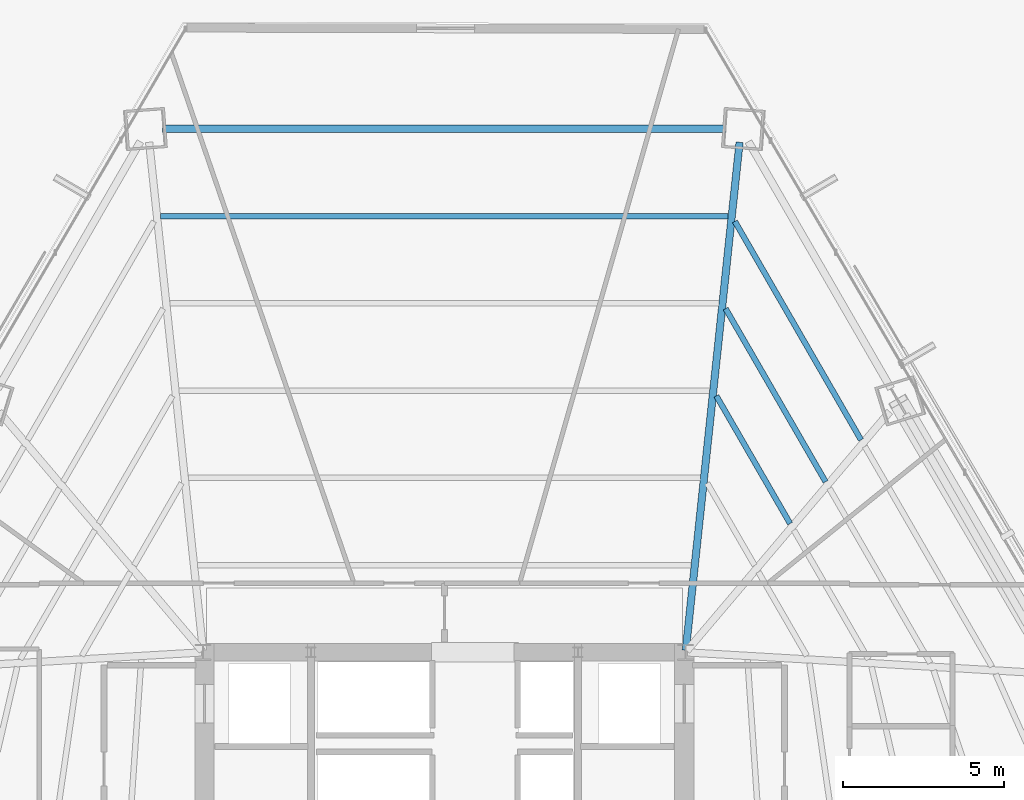
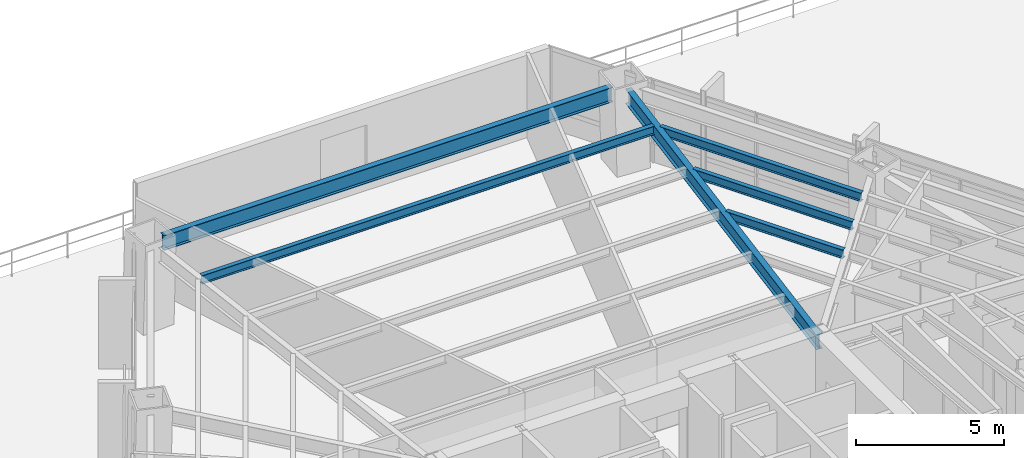
# One storey, part 24 of 35: 6 beams.
"""IFC4 building model written with IfcOpenShell, lengths in metres."""

from ifc_helpers import new_model, si_unit, direction, frame, origin, origin_2d, place, context, subcontext, project, spatial, i_section, extrude, source, transform, mapped, material, material_profile, profile_set, type_object, type_shapes, element, save


model = new_model("IFC4")

# Units and contexts
model_context = context("Model", 3, precision=1e-05, world=origin(), true_north=direction((0.0, 1.0)))
body_context = subcontext(model_context, "Body", "Model", "MODEL_VIEW")
ifc_project = project(units=[si_unit("LENGTHUNIT", "METRE"), si_unit("AREAUNIT", "SQUARE_METRE"), si_unit("VOLUMEUNIT", "CUBIC_METRE"), si_unit("PLANEANGLEUNIT", "RADIAN"), si_unit("MASSUNIT", "GRAM", prefix="KILO")], contexts=[model_context])

# Site, building, storey
site_placement = place(None, origin())
site = spatial("IfcSite", under=ifc_project, at=site_placement, CompositionType="ELEMENT")
building_placement = place(site_placement, origin())
building = spatial("IfcBuilding", under=site, at=building_placement, Name="Caelisora Broadcast Tower", CompositionType="ELEMENT")
storey_placement = place(building_placement, frame((0.0, 0.0, 27.60009765625)))
storey = spatial("IfcBuildingStorey", under=building, at=storey_placement, Name="L06", CompositionType="ELEMENT", Elevation=27.60009765625)

# Beams
ifc_material = material(Name="Steel Grade 350 (AS/NZS 3679.1)", Category="steel")
ifc_material_profile_1 = material_profile(ifc_material, i_section(OverallWidth=0.22900390625, OverallDepth=0.611572265625, WebThickness=0.011962890625, FlangeThickness=0.01953125, at=origin_2d()), Name="Steel Grade 350 (AS/NZS 3679.1)")
ifc_profile_set_1 = profile_set([ifc_material_profile_1], Name="Steel Grade 350 (AS/NZS 3679.1)")
beam_type_1 = type_object("IfcBeamType", Name="PG03", PredefinedType="BEAM", material=ifc_profile_set_1)
shared_shape_1 = source(origin(), body_context, "Body", "SweptSolid", [
    extrude(i_section(OverallWidth=0.22900390625, OverallDepth=0.611572265625, WebThickness=0.011962890625, FlangeThickness=0.01953125, at=origin_2d()), origin(), (0.0, 0.0, 1.0), 17.52880859375),
])
type_shapes(beam_type_1, [shared_shape_1])
beam_1_placement = place(storey_placement, frame((46.764404296875, 46.2783203125, 3.093994140625), z_axis=(-1.0, 0.0, 0.0), x_axis=(0.0, -1.0, 0.0)))
element("IfcBeam", 1, at=beam_1_placement, inside=storey, type_object=beam_type_1, Name="L06 beam PG03", PredefinedType="BEAM", context=body_context, shape_type="MappedRepresentation", body=[
    mapped(shared_shape_1, transform((0.0, 0.0, 0.0), scale=1.0)),
])
ifc_material_profile_2 = material_profile(ifc_material, i_section(OverallWidth=0.22802734375, OverallDepth=0.602294921875, WebThickness=0.010498046875, FlangeThickness=0.014892578125, at=origin_2d()), Name="Steel Grade 350 (AS/NZS 3679.1)")
ifc_profile_set_2 = profile_set([ifc_material_profile_2], Name="Steel Grade 350 (AS/NZS 3679.1)")
beam_type_2 = type_object("IfcBeamType", Name="PG04", PredefinedType="BEAM", material=ifc_profile_set_2)
shared_shape_2 = source(origin(), body_context, "Body", "SweptSolid", [
    extrude(i_section(OverallWidth=0.22802734375, OverallDepth=0.602294921875, WebThickness=0.010498046875, FlangeThickness=0.014892578125, at=origin_2d()), origin(), (0.0, 0.0, 1.0), 15.88916015625),
])
type_shapes(beam_type_2, [shared_shape_2])
beam_2_placement = place(storey_placement, frame((45.50634765625, 30.059814453125, 3.098876953125), z_axis=(0.105343823446, 0.994435859602, 0.0), x_axis=(-0.994435859602, 0.105343823446, 0.0)))
element("IfcBeam", 2, at=beam_2_placement, inside=storey, type_object=beam_type_2, Name="L06 beam PG04", PredefinedType="BEAM", context=body_context, shape_type="MappedRepresentation", body=[
    mapped(shared_shape_2, transform((0.0, 0.0, 0.0), scale=1.0)),
])
ifc_material_profile_3 = material_profile(ifc_material, i_section(OverallWidth=0.172119140625, OverallDepth=0.358642578125, WebThickness=0.008056640625, FlangeThickness=0.012939453125, at=origin_2d()), Name="Steel Grade 350 (AS/NZS 3679.1)")
ifc_profile_set_3 = profile_set([ifc_material_profile_3], Name="Steel Grade 350 (AS/NZS 3679.1)")
beam_type_3 = type_object("IfcBeamType", Name="SB02", PredefinedType="JOIST", material=ifc_profile_set_3)
shared_shape_3 = source(origin(), body_context, "Body", "SweptSolid", [
    extrude(i_section(OverallWidth=0.172119140625, OverallDepth=0.358642578125, WebThickness=0.008056640625, FlangeThickness=0.012939453125, at=origin_2d()), origin(), (0.0, 0.0, 1.0), 17.650390625),
])
beam_3_placement = place(storey_placement, frame((46.8251953125, 43.565185546875, 3.220703125), z_axis=(-1.0, 0.0, 0.0), x_axis=(0.0, -1.0, 0.0)))
element("IfcBeam", 3, at=beam_3_placement, inside=storey, type_object=beam_type_3, Name="L06 beam SB02", PredefinedType="JOIST", context=body_context, shape_type="MappedRepresentation", body=[
    mapped(shared_shape_3, transform((0.0, 0.0, 0.0), scale=1.0)),
])
shared_shape_4 = source(origin(), body_context, "Body", "SweptSolid", [
    extrude(i_section(OverallWidth=0.172119140625, OverallDepth=0.358642578125, WebThickness=0.008056640625, FlangeThickness=0.012939453125, at=origin_2d()), origin(), (0.0, 0.0, 1.0), 4.5849609375),
])
beam_4_placement = place(storey_placement, frame((48.75, 34.00341796875, 3.220703125), z_axis=(-0.499999010461, 0.866025975094, 0.0), x_axis=(-0.866025975094, -0.499999010461, 0.0)))
element("IfcBeam", 4, at=beam_4_placement, inside=storey, type_object=beam_type_3, Name="L06 beam SB02", PredefinedType="JOIST", context=body_context, shape_type="MappedRepresentation", body=[
    mapped(shared_shape_4, transform((0.0, 0.0, 0.0), scale=1.0)),
])
shared_shape_5 = source(origin(), body_context, "Body", "SweptSolid", [
    extrude(i_section(OverallWidth=0.172119140625, OverallDepth=0.358642578125, WebThickness=0.008056640625, FlangeThickness=0.012939453125, at=origin_2d()), origin(), (0.0, 0.0, 1.0), 6.216064453125),
])
beam_5_placement = place(storey_placement, frame((49.85302734375, 35.3037109375, 3.220703125), z_axis=(-0.500012564998, 0.866018149258, 0.0), x_axis=(-0.866018149258, -0.500012564998, 0.0)))
element("IfcBeam", 5, at=beam_5_placement, inside=storey, type_object=beam_type_3, Name="L06 beam SB02", PredefinedType="JOIST", context=body_context, shape_type="MappedRepresentation", body=[
    mapped(shared_shape_5, transform((0.0, 0.0, 0.0), scale=1.0)),
])
shared_shape_6 = source(origin(), body_context, "Body", "SweptSolid", [
    extrude(i_section(OverallWidth=0.172119140625, OverallDepth=0.358642578125, WebThickness=0.008056640625, FlangeThickness=0.012939453125, at=origin_2d()), origin(), (0.0, 0.0, 1.0), 7.84765625),
])
type_shapes(beam_type_3, [shared_shape_3, shared_shape_4, shared_shape_5, shared_shape_6])
beam_6_placement = place(storey_placement, frame((50.9560546875, 36.60400390625, 3.220703125), z_axis=(-0.500007012819, 0.866021354894, 0.0), x_axis=(-0.866021354894, -0.500007012819, 0.0)))
element("IfcBeam", 6, at=beam_6_placement, inside=storey, type_object=beam_type_3, Name="L06 beam SB02", PredefinedType="JOIST", context=body_context, shape_type="MappedRepresentation", body=[
    mapped(shared_shape_6, transform((0.0, 0.0, 0.0), scale=1.0)),
])

save(model, "model.ifc")
